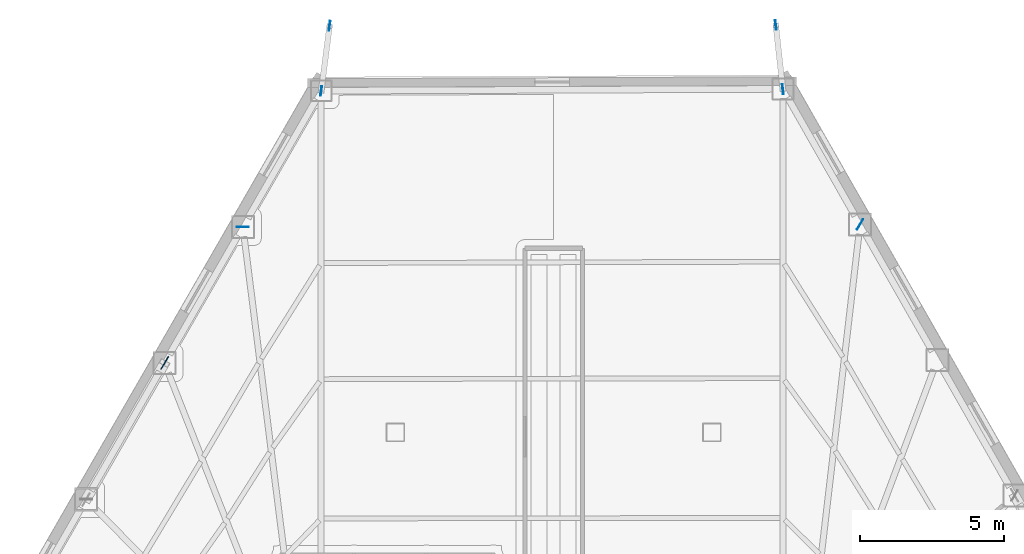
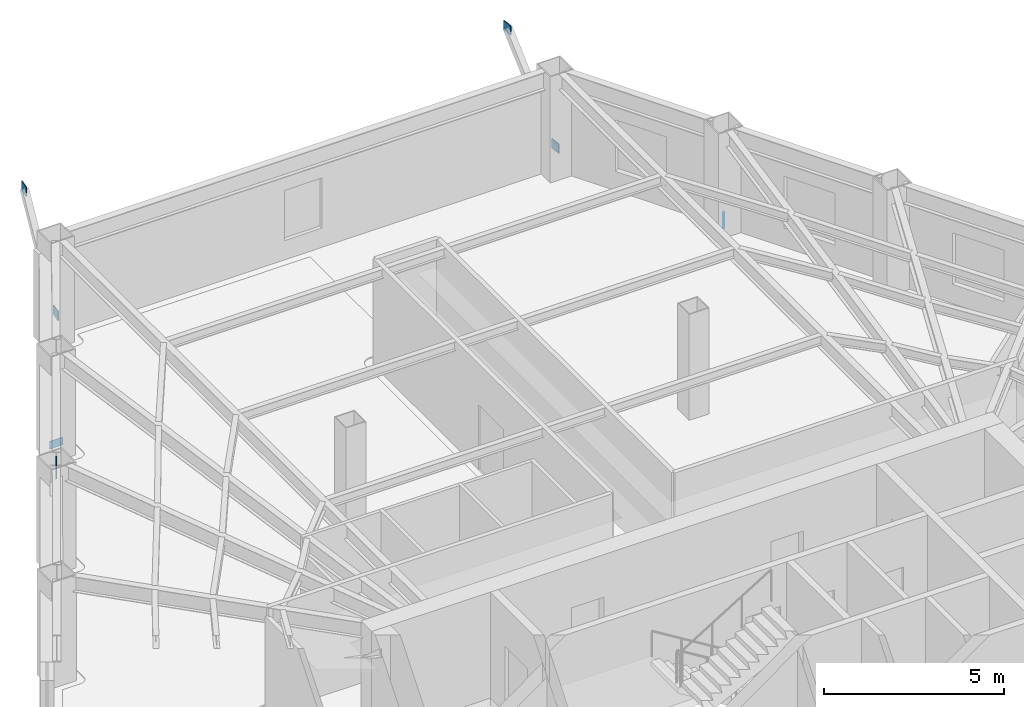
# One storey, part 6 of 12: 7 plates.
"""IFC4 building model written with IfcOpenShell, lengths in metres."""

from ifc_helpers import new_model, si_unit, direction, frame, origin, origin_2d, place, context, subcontext, project, spatial, rectangle, extrude, material, layer, layer_set, type_object, element, save


model = new_model("IFC4")

# Units and contexts
model_context = context("Model", 3, precision=1e-05, world=origin(), true_north=direction((0.0, 1.0)))
body_context = subcontext(model_context, "Body", "Model", "MODEL_VIEW")
ifc_project = project(units=[si_unit("LENGTHUNIT", "METRE"), si_unit("AREAUNIT", "SQUARE_METRE"), si_unit("VOLUMEUNIT", "CUBIC_METRE"), si_unit("PLANEANGLEUNIT", "RADIAN"), si_unit("MASSUNIT", "GRAM", prefix="KILO")], contexts=[model_context])

# Site, building, storey
site_placement = place(None, origin())
site = spatial("IfcSite", under=ifc_project, at=site_placement, CompositionType="ELEMENT")
building_placement = place(site_placement, origin())
building = spatial("IfcBuilding", under=site, at=building_placement, Name="Kavelnor Concourse Tower", CompositionType="ELEMENT")
storey_placement = place(building_placement, frame((0.0, 0.0, 13.699951171875)))
storey = spatial("IfcBuildingStorey", under=building, at=storey_placement, Name="L03", CompositionType="ELEMENT", Elevation=13.699951171875)

# Plates
ifc_material = material(Name="Steel Grade 350", Category="steel")
ifc_layer_1 = layer(ifc_material, 0.028076171875, Name="Steel Grade 350")
ifc_layer_set_1 = layer_set([ifc_layer_1], Name="Steel Grade 350")
plate_type_1 = type_object("IfcPlateType", Name="PL-GUSSET-FOLD", PredefinedType="USERDEFINED", material=ifc_layer_set_1)
for number, where, z_axis, x_axis, name in (
    (1, (45.96630859375, 43.72900390625, 0.740234375), (0.0, 0.0, 1.0), (-0.109387346587, 0.993999199399, 0.0), "L03 Terrace Strut Gusset GP4 C0-A End Gusset A"),
    (2, (45.72021484375, 45.96533203125, 3.47509765625), (0.0, 0.0, 1.0), (-0.109387346587, 0.993999199399, 0.0), "L03 Terrace Strut Gusset GP4 C0-A End Gusset B"),
    (3, (29.91943359375, 43.665283203125, 0.740234375), (0.0, 0.0, 1.0), (0.127757050534, 0.991805493047, 0.0), "L03 Terrace Strut Gusset GP4 C0-B End Gusset A"),
    (4, (30.211181640625, 45.931640625, 3.47509765625), (0.0, 0.0, 1.0), (0.127757050534, 0.991805493047, 0.0), "L03 Terrace Strut Gusset GP4 C0-B End Gusset B"),
):
    element("IfcPlate", number, at=place(storey_placement, frame(where, z_axis=z_axis, x_axis=x_axis)), inside=storey, type_object=plate_type_1, Name=name, ObjectType="GUSSET_PLATE", PredefinedType="USERDEFINED", context=body_context, shape_type="SweptSolid", body=[
        extrude(rectangle(XDim=0.340087890625, YDim=0.028076171875, at=origin_2d()), origin(), (0.0, 0.0, 1.0), 0.320068359375),
    ])
ifc_layer_2 = layer(ifc_material, 0.031982421875, Name="Steel Grade 350")
ifc_layer_set_2 = layer_set([ifc_layer_2], Name="Steel Grade 350")
plate_type_2 = type_object("IfcPlateType", Name="PL-GUSSET-TUBE-Z1", PredefinedType="USERDEFINED", material=ifc_layer_set_2)
plate_placement = place(storey_placement, frame((24.479736328125, 34.221435546875, 3.073974609375), z_axis=(0.0, 0.0, 1.0), x_axis=(0.498790313429, 0.866722691078, 0.0)))
element("IfcPlate", 5, at=plate_placement, inside=storey, type_object=plate_type_2, Name="L03 Tube Brace Gusset GP3 F0-B2 End Gusset B", ObjectType="GUSSET_PLATE", PredefinedType="USERDEFINED", context=body_context, shape_type="SweptSolid", body=[
    extrude(rectangle(XDim=0.52001953125, YDim=0.031982421875, at=origin_2d()), origin(), (0.0, 0.0, 1.0), 0.419921875),
])
ifc_layer_3 = layer(ifc_material, 0.02490234375, Name="Steel Grade 350")
ifc_layer_set_3 = layer_set([ifc_layer_3], Name="Steel Grade 350")
plate_type_3 = type_object("IfcPlateType", Name="PL-SPLICE-FLANGE", PredefinedType="SHEET", material=ifc_layer_set_3)
for number, where, z_axis, x_axis, name in (
    (6, (27.197265625, 38.944091796875, 0.169921875), (0.0, 0.0, 1.0), (1.0, 0.0, 0.0), "L03 Column Flange Splice Plate F0-B1"),
    (7, (48.65087890625, 39.030517578125, 0.169921875), (0.0, 0.0, 1.0), (-0.5, -0.866025403784, 0.0), "L03 Column Flange Splice Plate F2-B5"),
):
    element("IfcPlate", number, at=place(storey_placement, frame(where, z_axis=z_axis, x_axis=x_axis)), inside=storey, type_object=plate_type_3, Name=name, PredefinedType="SHEET", context=body_context, shape_type="SweptSolid", body=[
        extrude(rectangle(XDim=0.419921875, YDim=0.02490234375, at=origin_2d()), origin(), (0.0, 0.0, 1.0), 0.260009765625),
    ])

save(model, "model.ifc")
